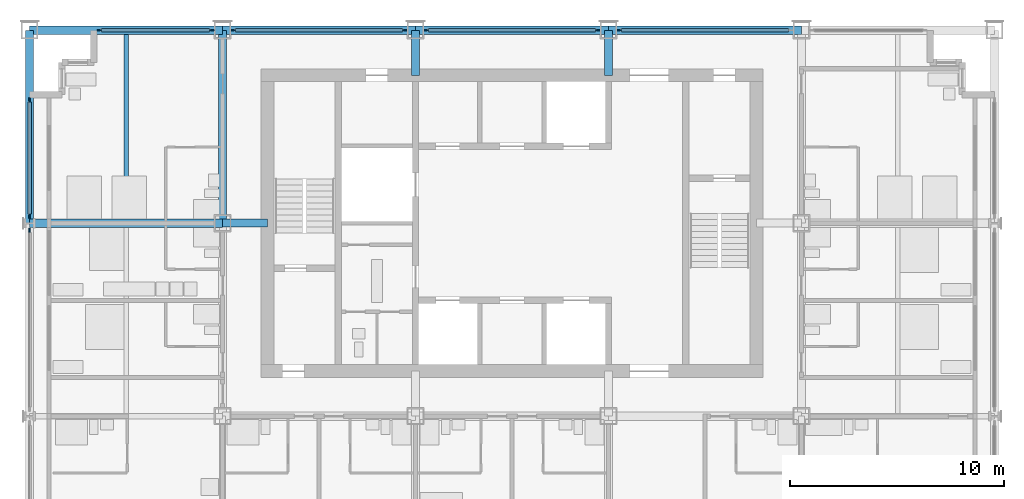
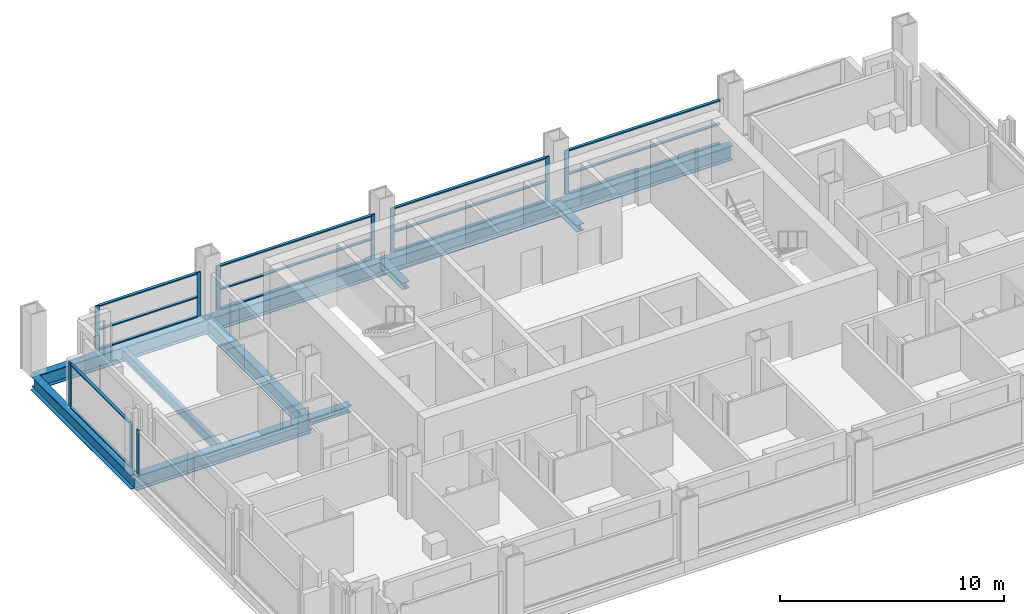
# One storey, part 4 of 14: 27 members, 8 beams, 6 elements without a shape of their own.
"""IFC4 building model written with IfcOpenShell, lengths in metres."""

from ifc_helpers import new_model, si_unit, direction, frame, origin, origin_2d, place, context, subcontext, project, spatial, rectangle, i_section, extrude, material, material_profile, profile_set, type_object, element, aggregate, save


model = new_model("IFC4")

# Units and contexts
model_context = context("Model", 3, precision=1e-05, world=origin(), true_north=direction((0.0, 1.0)))
body_context = subcontext(model_context, "Body", "Model", "MODEL_VIEW")
ifc_project = project(units=[si_unit("LENGTHUNIT", "METRE"), si_unit("AREAUNIT", "SQUARE_METRE"), si_unit("VOLUMEUNIT", "CUBIC_METRE"), si_unit("PLANEANGLEUNIT", "RADIAN"), si_unit("MASSUNIT", "GRAM", prefix="KILO")], contexts=[model_context])

# Site, building, storey
site_placement = place(None, origin())
site = spatial("IfcSite", under=ifc_project, at=site_placement, CompositionType="ELEMENT")
building_placement = place(site_placement, origin())
building = spatial("IfcBuilding", under=site, at=building_placement, Name="Loomwork Tower", CompositionType="ELEMENT")
storey_placement = place(building_placement, frame((0.0, 0.0, 170.60009765625)))
storey = spatial("IfcBuildingStorey", under=building, at=storey_placement, Name="L46", CompositionType="ELEMENT", Elevation=170.60009765625)

# Beams
ifc_material_1 = material(Name="Steel ASTM A992", Category="steel")
ifc_material_profile_1 = material_profile(ifc_material_1, i_section(OverallWidth=0.383544921875, OverallDepth=0.794921875, WebThickness=0.02099609375, FlangeThickness=0.0380859375, at=origin_2d()), Name="W30x235")
ifc_profile_set_1 = profile_set([ifc_material_profile_1], Name="Steel ASTM A992")
beam_type_1 = type_object("IfcBeamType", Name="CORE FLANK GIRDER W30x235", PredefinedType="BEAM", material=ifc_profile_set_1)
for number, where, z_axis, x_axis, name in (
    (1, (0.0, 18.0, -0.59765625), (1.0, 0.0, 0.0), (0.0, 1.0, 0.0), "Core Flank Girder F/2-F/3 L46"),
    (2, (9.0, 18.0, -0.59765625), (0.0, 1.0, 0.0), (-1.0, 0.0, 0.0), "Core Flank Girder F/3-G/3 L46"),
):
    element("IfcBeam", number, at=place(storey_placement, frame(where, z_axis=z_axis, x_axis=x_axis)), inside=storey, type_object=beam_type_1, Name=name, PredefinedType="BEAM", context=body_context, shape_type="SweptSolid", body=[
        extrude(i_section(OverallWidth=0.383544921875, OverallDepth=0.794921875, WebThickness=0.02099609375, FlangeThickness=0.0380859375, at=origin_2d()), origin(), (0.0, 0.0, 1.0), 9.0),
    ])

# Members
ifc_material_2 = material(Name="Steel ASTM A992", Category="steel")
ifc_material_profile_2 = material_profile(ifc_material_2, i_section(OverallWidth=0.373291015625, OverallDepth=0.373291015625, WebThickness=0.016357421875, FlangeThickness=0.026123046875, at=origin_2d()), Name="W14x132")
ifc_profile_set_2 = profile_set([ifc_material_profile_2], Name="Steel ASTM A992")
member_type_1 = type_object("IfcMemberType", Name="CORE LINK STRUT W14x132", PredefinedType="STRUT", material=ifc_profile_set_2)
for number, where, z_axis, x_axis, name in (
    (3, (27.0, 27.0, -0.38671875), (0.0, -1.0, 0.0), (1.0, 0.0, 0.0), "Core link strut G/5-27.000,24.900 L46"),
    (4, (18.0, 27.0, -0.38671875), (0.0, -1.0, 0.0), (1.0, 0.0, 0.0), "Core link strut G/4-18.000,24.900 L46"),
    (5, (9.0, 18.0, -0.38671875), (1.0, 0.0, 0.0), (0.0, 1.0, 0.0), "Core link strut F/3-11.100,18.000 L46"),
):
    element("IfcMember", number, at=place(storey_placement, frame(where, z_axis=z_axis, x_axis=x_axis)), inside=storey, type_object=member_type_1, Name=name, PredefinedType="STRUT", context=body_context, shape_type="SweptSolid", body=[
        extrude(i_section(OverallWidth=0.373291015625, OverallDepth=0.373291015625, WebThickness=0.016357421875, FlangeThickness=0.026123046875, at=origin_2d()), origin(), (0.0, 0.0, 1.0), 2.10009765625),
    ])

# Beam
ifc_material_3 = material(Name="Steel ASTM A992", Category="steel")
ifc_material_profile_3 = material_profile(ifc_material_3, i_section(OverallWidth=0.2109375, OverallDepth=0.53857421875, WebThickness=0.011474609375, FlangeThickness=0.018798828125, at=origin_2d()), Name="W21x73")
ifc_profile_set_3 = profile_set([ifc_material_profile_3], Name="Steel ASTM A992")
beam_type_2 = type_object("IfcBeamType", Name="FLOOR JOIST W21x73", PredefinedType="JOIST", material=ifc_profile_set_3)
beam_placement = place(storey_placement, frame((4.5, 18.19091796875, -0.46923828125), z_axis=(0.0, 1.0, 0.0), x_axis=(-1.0, 0.0, 0.0)))
element("IfcBeam", 6, at=beam_placement, inside=storey, type_object=beam_type_2, Name="Floor Joist 4.500,18.000-4.500,27.000 L46", PredefinedType="JOIST", context=body_context, shape_type="SweptSolid", body=[
    extrude(i_section(OverallWidth=0.2109375, OverallDepth=0.53857421875, WebThickness=0.011474609375, FlangeThickness=0.018798828125, at=origin_2d()), origin(), (0.0, 0.0, 1.0), 8.619140625),
])

# Curtain wall, member
ifc_material_4 = material(Name="Aluminium curtain wall frame", Category="aluminium")
curtain_wall_type_1 = type_object("IfcCurtainWallType", Name="Outer skin glazing hotel", PredefinedType="NOTDEFINED", material=ifc_material_4)
curtain_wall_1_placement = place(storey_placement, origin())
curtain_wall_1 = element("IfcCurtainWall", 7, at=curtain_wall_1_placement, inside=storey, type_object=curtain_wall_type_1, Name="Outer skin glazing hotel cw/W-9", PredefinedType="NOTDEFINED")
ifc_material_5 = material(Name="Aluminium curtain wall frame", Category="aluminium")
ifc_material_profile_4 = material_profile(ifc_material_5, rectangle(XDim=0.06494140625, YDim=0.199951171875, at=origin_2d()), Name="AL 65x200")
ifc_profile_set_4 = profile_set([ifc_material_profile_4], Name="Aluminium curtain wall frame")
member_type_2 = type_object("IfcMemberType", Name="Outer skin glazing hotel mullion", PredefinedType="MULLION", material=ifc_profile_set_4)
member_1_placement = place(storey_placement, frame((0.0, 17.67529296875, 0.0), z_axis=(0.0, 0.0, 1.0), x_axis=(1.0, 0.0, 0.0)))
member_1 = element("IfcMember", 8, at=member_1_placement, type_object=member_type_2, Name="CW1 mullion 1", PredefinedType="MULLION", context=body_context, shape_type="SweptSolid", body=[
    extrude(rectangle(XDim=0.06494140625, YDim=0.199951171875, at=origin_2d()), origin(), (0.0, 0.0, 1.0), 2.420166015625),
])
aggregate(curtain_wall_1, [member_1])

# Curtain wall, members
curtain_wall_2_placement = place(storey_placement, origin())
curtain_wall_2 = element("IfcCurtainWall", 9, at=curtain_wall_2_placement, inside=storey, type_object=curtain_wall_type_1, Name="Outer skin glazing hotel cw/W-18", PredefinedType="NOTDEFINED")
member_2_placement = place(storey_placement, frame((0.0, 23.75, 0.0), z_axis=(0.0, 0.0, 1.0), x_axis=(1.0, 0.0, 0.0)))
member_2 = element("IfcMember", 10, at=member_2_placement, type_object=member_type_2, Name="CW1 mullion 1", PredefinedType="MULLION", context=body_context, shape_type="SweptSolid", body=[
    extrude(rectangle(XDim=0.06494140625, YDim=0.199951171875, at=origin_2d()), origin(), (0.0, 0.0, 1.0), 2.420166015625),
])
member_3_placement = place(storey_placement, frame((0.0, 18.32470703125, 0.0), z_axis=(0.0, 0.0, 1.0), x_axis=(1.0, 0.0, 0.0)))
member_3 = element("IfcMember", 11, at=member_3_placement, type_object=member_type_2, Name="CW1 mullion 2", PredefinedType="MULLION", context=body_context, shape_type="SweptSolid", body=[
    extrude(rectangle(XDim=0.06494140625, YDim=0.199951171875, at=origin_2d()), origin(), (0.0, 0.0, 1.0), 2.420166015625),
])
ifc_material_6 = material(Name="Aluminium curtain wall frame", Category="aluminium")
ifc_material_profile_5 = material_profile(ifc_material_6, rectangle(XDim=0.14990234375, YDim=0.06494140625, at=origin_2d()), Name="AL 65x150")
ifc_profile_set_5 = profile_set([ifc_material_profile_5], Name="Aluminium curtain wall frame")
member_type_3 = type_object("IfcMemberType", Name="Outer skin glazing hotel transom", PredefinedType="USERDEFINED", material=ifc_profile_set_5)
member_4_placement = place(storey_placement, frame((0.0, 23.64990234375, 0.032470703125), z_axis=(0.0, -1.0, 0.0), x_axis=(1.0, 0.0, 0.0)))
member_4 = element("IfcMember", 12, at=member_4_placement, type_object=member_type_3, Name="CW1 transom 1.1", ObjectType="TRANSOM", PredefinedType="USERDEFINED", context=body_context, shape_type="SweptSolid", body=[
    extrude(rectangle(XDim=0.14990234375, YDim=0.06494140625, at=origin_2d()), origin(), (0.0, 0.0, 1.0), 5.22509765625),
])
member_5_placement = place(storey_placement, frame((0.0, 23.64990234375, 2.3876953125), z_axis=(0.0, -1.0, 0.0), x_axis=(1.0, 0.0, 0.0)))
member_5 = element("IfcMember", 13, at=member_5_placement, type_object=member_type_3, Name="CW1 transom 1.2", ObjectType="TRANSOM", PredefinedType="USERDEFINED", context=body_context, shape_type="SweptSolid", body=[
    extrude(rectangle(XDim=0.14990234375, YDim=0.06494140625, at=origin_2d()), origin(), (0.0, 0.0, 1.0), 5.22509765625),
])
aggregate(curtain_wall_2, [member_2, member_3, member_4, member_5])

# Beams
ifc_material_7 = material(Name="Steel ASTM A992", Category="steel")
ifc_material_profile_6 = material_profile(ifc_material_7, i_section(OverallWidth=0.381103515625, OverallDepth=0.77978515625, WebThickness=0.01806640625, FlangeThickness=0.0302734375, at=origin_2d()), Name="W30x191")
ifc_profile_set_6 = profile_set([ifc_material_profile_6], Name="Steel ASTM A992")
beam_type_3 = type_object("IfcBeamType", Name="SPANDREL GIRDER W30x191", PredefinedType="SPANDREL", material=ifc_profile_set_6)
for number, where, z_axis, x_axis, name in (
    (14, (0.0, 27.0, -0.590087890625), (1.0, 0.0, 0.0), (0.0, 1.0, 0.0), "Spandrel Girder G/2-G/3 L46"),
    (15, (9.0, 27.0, -0.590087890625), (1.0, 0.0, 0.0), (0.0, 1.0, 0.0), "Spandrel Girder G/3-G/4 L46"),
    (16, (18.0, 27.0, -0.590087890625), (1.0, 0.0, 0.0), (0.0, 1.0, 0.0), "Spandrel Girder G/4-G/5 L46"),
    (17, (27.0, 27.0, -0.590087890625), (1.0, 0.0, 0.0), (0.0, 1.0, 0.0), "Spandrel Girder G/5-G/6 L46"),
    (18, (0.0, 18.0, -0.590087890625), (0.0, 1.0, 0.0), (-1.0, 0.0, 0.0), "Spandrel Girder F/2-G/2 L46"),
):
    element("IfcBeam", number, at=place(storey_placement, frame(where, z_axis=z_axis, x_axis=x_axis)), inside=storey, type_object=beam_type_3, Name=name, PredefinedType="SPANDREL", context=body_context, shape_type="SweptSolid", body=[
        extrude(i_section(OverallWidth=0.381103515625, OverallDepth=0.77978515625, WebThickness=0.01806640625, FlangeThickness=0.0302734375, at=origin_2d()), origin(), (0.0, 0.0, 1.0), 9.0),
    ])

# Curtain wall, members
ifc_material_8 = material(Name="Aluminium curtain wall frame", Category="aluminium")
curtain_wall_type_2 = type_object("IfcCurtainWallType", Name="Single skin glazing corridor", PredefinedType="NOTDEFINED", material=ifc_material_8)
curtain_wall_3_placement = place(storey_placement, origin())
curtain_wall_3 = element("IfcCurtainWall", 19, at=curtain_wall_3_placement, inside=storey, type_object=curtain_wall_type_2, Name="Single skin glazing corridor cw/N-0", PredefinedType="NOTDEFINED")
ifc_material_9 = material(Name="Aluminium curtain wall frame", Category="aluminium")
ifc_material_profile_7 = material_profile(ifc_material_9, rectangle(XDim=0.06494140625, YDim=0.199951171875, at=origin_2d()), Name="AL 65x200")
ifc_profile_set_7 = profile_set([ifc_material_profile_7], Name="Aluminium curtain wall frame")
member_type_4 = type_object("IfcMemberType", Name="Single skin glazing corridor mullion", PredefinedType="MULLION", material=ifc_profile_set_7)
member_6_placement = place(storey_placement, frame((8.5, 27.0, 0.0), z_axis=(0.0, 0.0, 1.0), x_axis=(0.0, -1.0, 0.0)))
member_6 = element("IfcMember", 20, at=member_6_placement, type_object=member_type_4, Name="CW3 mullion 1", PredefinedType="MULLION", context=body_context, shape_type="SweptSolid", body=[
    extrude(rectangle(XDim=0.06494140625, YDim=0.199951171875, at=origin_2d()), origin(), (0.0, 0.0, 1.0), 2.420166015625),
])
member_7_placement = place(storey_placement, frame((3.25, 27.0, 0.0), z_axis=(0.0, 0.0, 1.0), x_axis=(0.0, -1.0, 0.0)))
member_7 = element("IfcMember", 21, at=member_7_placement, type_object=member_type_4, Name="CW3 mullion 2", PredefinedType="MULLION", context=body_context, shape_type="SweptSolid", body=[
    extrude(rectangle(XDim=0.06494140625, YDim=0.199951171875, at=origin_2d()), origin(), (0.0, 0.0, 1.0), 2.420166015625),
])

curtain_wall_4_placement = place(storey_placement, origin())
curtain_wall_4 = element("IfcCurtainWall", 22, at=curtain_wall_4_placement, inside=storey, type_object=curtain_wall_type_2, Name="Single skin glazing corridor cw/N-9", PredefinedType="NOTDEFINED")
member_8_placement = place(storey_placement, frame((17.5, 27.0, 0.0), z_axis=(0.0, 0.0, 1.0), x_axis=(0.0, -1.0, 0.0)))
member_8 = element("IfcMember", 23, at=member_8_placement, type_object=member_type_4, Name="CW3 mullion 1", PredefinedType="MULLION", context=body_context, shape_type="SweptSolid", body=[
    extrude(rectangle(XDim=0.06494140625, YDim=0.199951171875, at=origin_2d()), origin(), (0.0, 0.0, 1.0), 2.420166015625),
])
member_9_placement = place(storey_placement, frame((9.5, 27.0, 0.0), z_axis=(0.0, 0.0, 1.0), x_axis=(0.0, -1.0, 0.0)))
member_9 = element("IfcMember", 24, at=member_9_placement, type_object=member_type_4, Name="CW3 mullion 2", PredefinedType="MULLION", context=body_context, shape_type="SweptSolid", body=[
    extrude(rectangle(XDim=0.06494140625, YDim=0.199951171875, at=origin_2d()), origin(), (0.0, 0.0, 1.0), 2.420166015625),
])

curtain_wall_5_placement = place(storey_placement, origin())
curtain_wall_5 = element("IfcCurtainWall", 25, at=curtain_wall_5_placement, inside=storey, type_object=curtain_wall_type_2, Name="Single skin glazing corridor cw/N-18", PredefinedType="NOTDEFINED")
member_10_placement = place(storey_placement, frame((26.5, 27.0, 0.0), z_axis=(0.0, 0.0, 1.0), x_axis=(0.0, -1.0, 0.0)))
member_10 = element("IfcMember", 26, at=member_10_placement, type_object=member_type_4, Name="CW3 mullion 1", PredefinedType="MULLION", context=body_context, shape_type="SweptSolid", body=[
    extrude(rectangle(XDim=0.06494140625, YDim=0.199951171875, at=origin_2d()), origin(), (0.0, 0.0, 1.0), 2.420166015625),
])
member_11_placement = place(storey_placement, frame((18.5, 27.0, 0.0), z_axis=(0.0, 0.0, 1.0), x_axis=(0.0, -1.0, 0.0)))
member_11 = element("IfcMember", 27, at=member_11_placement, type_object=member_type_4, Name="CW3 mullion 2", PredefinedType="MULLION", context=body_context, shape_type="SweptSolid", body=[
    extrude(rectangle(XDim=0.06494140625, YDim=0.199951171875, at=origin_2d()), origin(), (0.0, 0.0, 1.0), 2.420166015625),
])

# Curtain wall, member
curtain_wall_6_placement = place(storey_placement, origin())
curtain_wall_6 = element("IfcCurtainWall", 28, at=curtain_wall_6_placement, inside=storey, type_object=curtain_wall_type_2, Name="Single skin glazing corridor cw/N-27", PredefinedType="NOTDEFINED")
member_12_placement = place(storey_placement, frame((27.5, 27.0, 0.0), z_axis=(0.0, 0.0, 1.0), x_axis=(0.0, -1.0, 0.0)))
member_12 = element("IfcMember", 29, at=member_12_placement, type_object=member_type_4, Name="CW3 mullion 2", PredefinedType="MULLION", context=body_context, shape_type="SweptSolid", body=[
    extrude(rectangle(XDim=0.06494140625, YDim=0.199951171875, at=origin_2d()), origin(), (0.0, 0.0, 1.0), 2.420166015625),
])

# Member
ifc_material_10 = material(Name="Aluminium curtain wall frame", Category="aluminium")
ifc_material_profile_8 = material_profile(ifc_material_10, rectangle(XDim=0.14990234375, YDim=0.06494140625, at=origin_2d()), Name="AL 65x150")
ifc_profile_set_8 = profile_set([ifc_material_profile_8], Name="Aluminium curtain wall frame")
member_type_5 = type_object("IfcMemberType", Name="Single skin glazing corridor transom", PredefinedType="USERDEFINED", material=ifc_profile_set_8)
member_13_placement = place(storey_placement, frame((8.39990234375, 27.0, 0.032470703125), z_axis=(-1.0, 0.0, 0.0), x_axis=(0.0, -1.0, 0.0)))
member_13 = element("IfcMember", 30, at=member_13_placement, type_object=member_type_5, Name="CW3 transom 1.1", ObjectType="TRANSOM", PredefinedType="USERDEFINED", context=body_context, shape_type="SweptSolid", body=[
    extrude(rectangle(XDim=0.14990234375, YDim=0.06494140625, at=origin_2d()), origin(), (0.0, 0.0, 1.0), 5.0498046875),
])

member_14_placement = place(storey_placement, frame((8.39990234375, 27.0, 1.099853515625), z_axis=(-1.0, 0.0, 0.0), x_axis=(0.0, -1.0, 0.0)))
member_14 = element("IfcMember", 31, at=member_14_placement, type_object=member_type_5, Name="CW3 transom 1.2", ObjectType="TRANSOM", PredefinedType="USERDEFINED", context=body_context, shape_type="SweptSolid", body=[
    extrude(rectangle(XDim=0.14990234375, YDim=0.06494140625, at=origin_2d()), origin(), (0.0, 0.0, 1.0), 5.0498046875),
])

member_15_placement = place(storey_placement, frame((8.39990234375, 27.0, 2.3876953125), z_axis=(-1.0, 0.0, 0.0), x_axis=(0.0, -1.0, 0.0)))
member_15 = element("IfcMember", 32, at=member_15_placement, type_object=member_type_5, Name="CW3 transom 1.3", ObjectType="TRANSOM", PredefinedType="USERDEFINED", context=body_context, shape_type="SweptSolid", body=[
    extrude(rectangle(XDim=0.14990234375, YDim=0.06494140625, at=origin_2d()), origin(), (0.0, 0.0, 1.0), 5.0498046875),
])

aggregate(curtain_wall_3, [member_6, member_7, member_13, member_14, member_15])

member_16_placement = place(storey_placement, frame((17.39990234375, 27.0, 0.032470703125), z_axis=(-1.0, 0.0, 0.0), x_axis=(0.0, -1.0, 0.0)))
member_16 = element("IfcMember", 33, at=member_16_placement, type_object=member_type_5, Name="CW3 transom 1.1", ObjectType="TRANSOM", PredefinedType="USERDEFINED", context=body_context, shape_type="SweptSolid", body=[
    extrude(rectangle(XDim=0.14990234375, YDim=0.06494140625, at=origin_2d()), origin(), (0.0, 0.0, 1.0), 7.7998046875),
])

member_17_placement = place(storey_placement, frame((17.39990234375, 27.0, 1.099853515625), z_axis=(-1.0, 0.0, 0.0), x_axis=(0.0, -1.0, 0.0)))
member_17 = element("IfcMember", 34, at=member_17_placement, type_object=member_type_5, Name="CW3 transom 1.2", ObjectType="TRANSOM", PredefinedType="USERDEFINED", context=body_context, shape_type="SweptSolid", body=[
    extrude(rectangle(XDim=0.14990234375, YDim=0.06494140625, at=origin_2d()), origin(), (0.0, 0.0, 1.0), 7.7998046875),
])

member_18_placement = place(storey_placement, frame((17.39990234375, 27.0, 2.3876953125), z_axis=(-1.0, 0.0, 0.0), x_axis=(0.0, -1.0, 0.0)))
member_18 = element("IfcMember", 35, at=member_18_placement, type_object=member_type_5, Name="CW3 transom 1.3", ObjectType="TRANSOM", PredefinedType="USERDEFINED", context=body_context, shape_type="SweptSolid", body=[
    extrude(rectangle(XDim=0.14990234375, YDim=0.06494140625, at=origin_2d()), origin(), (0.0, 0.0, 1.0), 7.7998046875),
])

aggregate(curtain_wall_4, [member_8, member_9, member_16, member_17, member_18])

member_19_placement = place(storey_placement, frame((26.39990234375, 27.0, 0.032470703125), z_axis=(-1.0, 0.0, 0.0), x_axis=(0.0, -1.0, 0.0)))
member_19 = element("IfcMember", 36, at=member_19_placement, type_object=member_type_5, Name="CW3 transom 1.1", ObjectType="TRANSOM", PredefinedType="USERDEFINED", context=body_context, shape_type="SweptSolid", body=[
    extrude(rectangle(XDim=0.14990234375, YDim=0.06494140625, at=origin_2d()), origin(), (0.0, 0.0, 1.0), 7.7998046875),
])

member_20_placement = place(storey_placement, frame((26.39990234375, 27.0, 1.099853515625), z_axis=(-1.0, 0.0, 0.0), x_axis=(0.0, -1.0, 0.0)))
member_20 = element("IfcMember", 37, at=member_20_placement, type_object=member_type_5, Name="CW3 transom 1.2", ObjectType="TRANSOM", PredefinedType="USERDEFINED", context=body_context, shape_type="SweptSolid", body=[
    extrude(rectangle(XDim=0.14990234375, YDim=0.06494140625, at=origin_2d()), origin(), (0.0, 0.0, 1.0), 7.7998046875),
])

member_21_placement = place(storey_placement, frame((26.39990234375, 27.0, 2.3876953125), z_axis=(-1.0, 0.0, 0.0), x_axis=(0.0, -1.0, 0.0)))
member_21 = element("IfcMember", 38, at=member_21_placement, type_object=member_type_5, Name="CW3 transom 1.3", ObjectType="TRANSOM", PredefinedType="USERDEFINED", context=body_context, shape_type="SweptSolid", body=[
    extrude(rectangle(XDim=0.14990234375, YDim=0.06494140625, at=origin_2d()), origin(), (0.0, 0.0, 1.0), 7.7998046875),
])

aggregate(curtain_wall_5, [member_10, member_11, member_19, member_20, member_21])

member_22_placement = place(storey_placement, frame((35.39990234375, 27.0, 0.032470703125), z_axis=(-1.0, 0.0, 0.0), x_axis=(0.0, -1.0, 0.0)))
member_22 = element("IfcMember", 39, at=member_22_placement, type_object=member_type_5, Name="CW3 transom 1.1", ObjectType="TRANSOM", PredefinedType="USERDEFINED", context=body_context, shape_type="SweptSolid", body=[
    extrude(rectangle(XDim=0.14990234375, YDim=0.06494140625, at=origin_2d()), origin(), (0.0, 0.0, 1.0), 7.7998046875),
])

member_23_placement = place(storey_placement, frame((35.39990234375, 27.0, 1.099853515625), z_axis=(-1.0, 0.0, 0.0), x_axis=(0.0, -1.0, 0.0)))
member_23 = element("IfcMember", 40, at=member_23_placement, type_object=member_type_5, Name="CW3 transom 1.2", ObjectType="TRANSOM", PredefinedType="USERDEFINED", context=body_context, shape_type="SweptSolid", body=[
    extrude(rectangle(XDim=0.14990234375, YDim=0.06494140625, at=origin_2d()), origin(), (0.0, 0.0, 1.0), 7.7998046875),
])

member_24_placement = place(storey_placement, frame((35.39990234375, 27.0, 2.3876953125), z_axis=(-1.0, 0.0, 0.0), x_axis=(0.0, -1.0, 0.0)))
member_24 = element("IfcMember", 41, at=member_24_placement, type_object=member_type_5, Name="CW3 transom 1.3", ObjectType="TRANSOM", PredefinedType="USERDEFINED", context=body_context, shape_type="SweptSolid", body=[
    extrude(rectangle(XDim=0.14990234375, YDim=0.06494140625, at=origin_2d()), origin(), (0.0, 0.0, 1.0), 7.7998046875),
])

aggregate(curtain_wall_6, [member_12, member_22, member_23, member_24])

save(model, "model.ifc")
